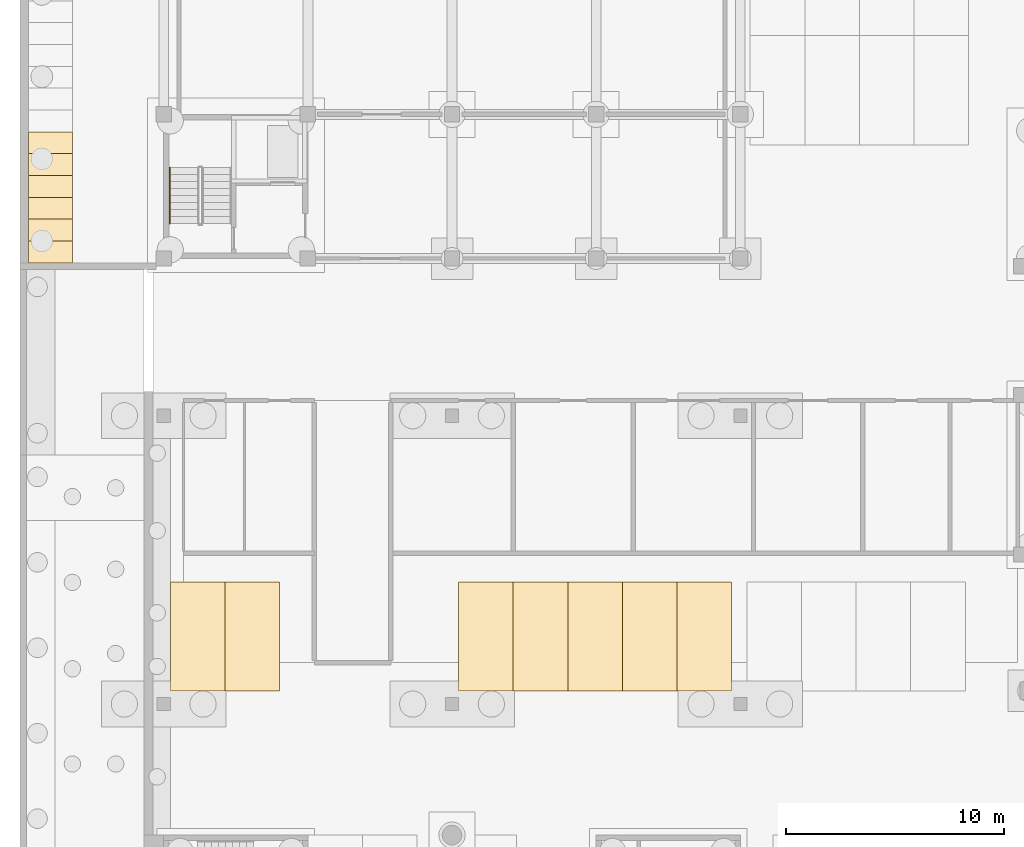
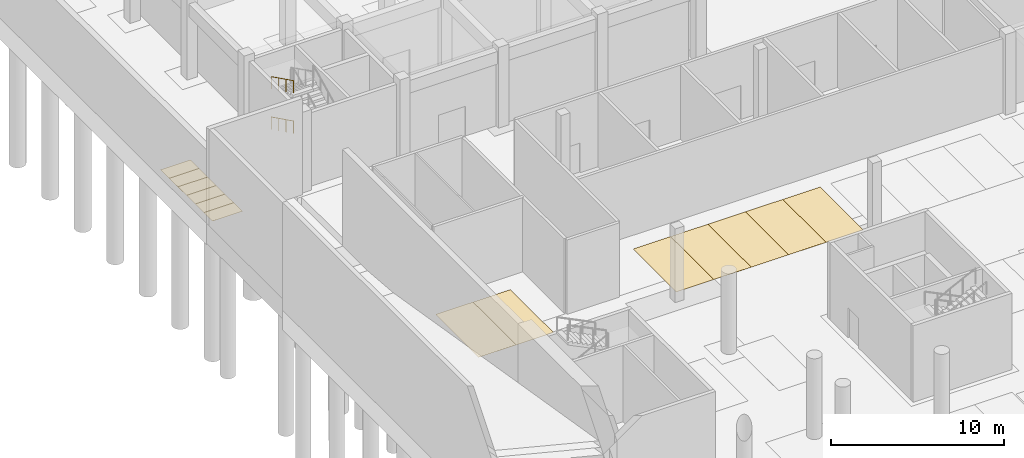
# One storey, part 26 of 38: 13 coverings, 2 railings.
"""IFC4 building model written with IfcOpenShell, lengths in metres."""

from ifc_helpers import new_model, si_unit, direction, frame, origin, origin_2d, place, context, subcontext, project, spatial, polyline, circle, outline, extrude, material, layer, layer_set, type_object, element, save


model = new_model("IFC4")

# Units and contexts
model_context = context("Model", 3, precision=1e-05, world=origin(), true_north=direction((0.0, 1.0)))
body_context = subcontext(model_context, "Body", "Model", "MODEL_VIEW")
ifc_project = project(units=[si_unit("LENGTHUNIT", "METRE"), si_unit("AREAUNIT", "SQUARE_METRE"), si_unit("VOLUMEUNIT", "CUBIC_METRE"), si_unit("PLANEANGLEUNIT", "RADIAN"), si_unit("MASSUNIT", "GRAM", prefix="KILO")], contexts=[model_context])

# Site, building, storey
site_placement = place(None, origin())
site = spatial("IfcSite", under=ifc_project, at=site_placement, CompositionType="ELEMENT")
building_placement = place(site_placement, origin())
building = spatial("IfcBuilding", under=site, at=building_placement, Name="Lantern Court Research Institute", CompositionType="ELEMENT")
storey_placement = place(building_placement, frame((0.0, 0.0, -5.699951171875)))
storey = spatial("IfcBuildingStorey", under=building, at=storey_placement, Name="B1", CompositionType="ELEMENT", Elevation=-5.699951171875)

# Coverings
ifc_material_1 = material(Name="Thermoplastic road marking paint")
ifc_layer_1 = layer(ifc_material_1, 0.0029296875)
ifc_layer_set_1 = layer_set([ifc_layer_1], Name="Thermoplastic road marking paint")
covering_type_1 = type_object("IfcCoveringType", Name="Motorcycle slot marking", PredefinedType="FLOORING", material=ifc_layer_set_1)
covering_1_placement = place(storey_placement, origin())
element("IfcCovering", 1, at=covering_1_placement, inside=storey, type_object=covering_type_1, Name="Motorcycle slot marking 01", PredefinedType="FLOORING", context=body_context, shape_type="SweptSolid", body=[
    extrude(outline(polyline([(-6.179931640625, 49.300048828125), (-4.179931640625, 49.300048828125), (-4.179931640625, 50.300048828125), (-6.179931640625, 50.300048828125), (-6.179931640625, 49.300048828125)])), origin(), (0.0, 0.0, 1.0), 0.0029296875),
])
covering_2_placement = place(storey_placement, origin())
element("IfcCovering", 2, at=covering_2_placement, inside=storey, type_object=covering_type_1, Name="Motorcycle slot marking 02", PredefinedType="FLOORING", context=body_context, shape_type="SweptSolid", body=[
    extrude(outline(polyline([(-6.179931640625, 50.300048828125), (-4.179931640625, 50.300048828125), (-4.179931640625, 51.300048828125), (-6.179931640625, 51.300048828125), (-6.179931640625, 50.300048828125)])), origin(), (0.0, 0.0, 1.0), 0.0029296875),
])
covering_3_placement = place(storey_placement, origin())
element("IfcCovering", 3, at=covering_3_placement, inside=storey, type_object=covering_type_1, Name="Motorcycle slot marking 03", PredefinedType="FLOORING", context=body_context, shape_type="SweptSolid", body=[
    extrude(outline(polyline([(-6.179931640625, 51.300048828125), (-4.179931640625, 51.300048828125), (-4.179931640625, 52.300048828125), (-6.179931640625, 52.300048828125), (-6.179931640625, 51.300048828125)])), origin(), (0.0, 0.0, 1.0), 0.0029296875),
])
covering_4_placement = place(storey_placement, origin())
element("IfcCovering", 4, at=covering_4_placement, inside=storey, type_object=covering_type_1, Name="Motorcycle slot marking 04", PredefinedType="FLOORING", context=body_context, shape_type="SweptSolid", body=[
    extrude(outline(polyline([(-6.179931640625, 52.300048828125), (-4.179931640625, 52.300048828125), (-4.179931640625, 53.300048828125), (-6.179931640625, 53.300048828125), (-6.179931640625, 52.300048828125)])), origin(), (0.0, 0.0, 1.0), 0.0029296875),
])
covering_5_placement = place(storey_placement, origin())
element("IfcCovering", 5, at=covering_5_placement, inside=storey, type_object=covering_type_1, Name="Motorcycle slot marking 05", PredefinedType="FLOORING", context=body_context, shape_type="SweptSolid", body=[
    extrude(outline(polyline([(-6.179931640625, 53.300048828125), (-4.179931640625, 53.300048828125), (-4.179931640625, 54.300048828125), (-6.179931640625, 54.300048828125), (-6.179931640625, 53.300048828125)])), origin(), (0.0, 0.0, 1.0), 0.0029296875),
])
covering_6_placement = place(storey_placement, origin())
element("IfcCovering", 6, at=covering_6_placement, inside=storey, type_object=covering_type_1, Name="Motorcycle slot marking 06", PredefinedType="FLOORING", context=body_context, shape_type="SweptSolid", body=[
    extrude(outline(polyline([(-6.179931640625, 54.300048828125), (-4.179931640625, 54.300048828125), (-4.179931640625, 55.300048828125), (-6.179931640625, 55.300048828125), (-6.179931640625, 54.300048828125)])), origin(), (0.0, 0.0, 1.0), 0.0029296875),
])
ifc_material_2 = material(Name="Thermoplastic road marking paint")
ifc_layer_2 = layer(ifc_material_2, 0.0029296875)
ifc_layer_set_2 = layer_set([ifc_layer_2], Name="Thermoplastic road marking paint")
covering_type_2 = type_object("IfcCoveringType", Name="Parking bay marking", PredefinedType="FLOORING", material=ifc_layer_set_2)
covering_7_placement = place(storey_placement, origin())
element("IfcCovering", 7, at=covering_7_placement, inside=storey, type_object=covering_type_2, Name="Parking bay marking 053", PredefinedType="FLOORING", context=body_context, shape_type="SweptSolid", body=[
    extrude(outline(polyline([(0.300048828125, 29.699951171875), (2.800048828125, 29.699951171875), (2.800048828125, 34.699951171875), (0.300048828125, 34.699951171875), (0.300048828125, 29.699951171875)])), origin(), (0.0, 0.0, 1.0), 0.0029296875),
])
covering_8_placement = place(storey_placement, origin())
element("IfcCovering", 8, at=covering_8_placement, inside=storey, type_object=covering_type_2, Name="Parking bay marking 054", PredefinedType="FLOORING", context=body_context, shape_type="SweptSolid", body=[
    extrude(outline(polyline([(2.800048828125, 29.699951171875), (5.300048828125, 29.699951171875), (5.300048828125, 34.699951171875), (2.800048828125, 34.699951171875), (2.800048828125, 29.699951171875)])), origin(), (0.0, 0.0, 1.0), 0.0029296875),
])
covering_9_placement = place(storey_placement, origin())
element("IfcCovering", 9, at=covering_9_placement, inside=storey, type_object=covering_type_2, Name="Parking bay marking 055", PredefinedType="FLOORING", context=body_context, shape_type="SweptSolid", body=[
    extrude(outline(polyline([(13.5, 29.699951171875), (16.0, 29.699951171875), (16.0, 34.699951171875), (13.5, 34.699951171875), (13.5, 29.699951171875)])), origin(), (0.0, 0.0, 1.0), 0.0029296875),
])
covering_10_placement = place(storey_placement, origin())
element("IfcCovering", 10, at=covering_10_placement, inside=storey, type_object=covering_type_2, Name="Parking bay marking 056", PredefinedType="FLOORING", context=body_context, shape_type="SweptSolid", body=[
    extrude(outline(polyline([(16.0, 29.699951171875), (18.5, 29.699951171875), (18.5, 34.699951171875), (16.0, 34.699951171875), (16.0, 29.699951171875)])), origin(), (0.0, 0.0, 1.0), 0.0029296875),
])
covering_11_placement = place(storey_placement, origin())
element("IfcCovering", 11, at=covering_11_placement, inside=storey, type_object=covering_type_2, Name="Parking bay marking 057", PredefinedType="FLOORING", context=body_context, shape_type="SweptSolid", body=[
    extrude(outline(polyline([(18.5, 29.699951171875), (21.0, 29.699951171875), (21.0, 34.699951171875), (18.5, 34.699951171875), (18.5, 29.699951171875)])), origin(), (0.0, 0.0, 1.0), 0.0029296875),
])
covering_12_placement = place(storey_placement, origin())
element("IfcCovering", 12, at=covering_12_placement, inside=storey, type_object=covering_type_2, Name="Parking bay marking 058", PredefinedType="FLOORING", context=body_context, shape_type="SweptSolid", body=[
    extrude(outline(polyline([(21.0, 29.699951171875), (23.5, 29.699951171875), (23.5, 34.699951171875), (21.0, 34.699951171875), (21.0, 29.699951171875)])), origin(), (0.0, 0.0, 1.0), 0.0029296875),
])
covering_13_placement = place(storey_placement, origin())
element("IfcCovering", 13, at=covering_13_placement, inside=storey, type_object=covering_type_2, Name="Parking bay marking 059", PredefinedType="FLOORING", context=body_context, shape_type="SweptSolid", body=[
    extrude(outline(polyline([(23.5, 29.699951171875), (26.0, 29.699951171875), (26.0, 34.699951171875), (23.5, 34.699951171875), (23.5, 29.699951171875)])), origin(), (0.0, 0.0, 1.0), 0.0029296875),
])

# Railings
ifc_material_3 = material(Name="Stainless steel 316", Category="steel")
railing_type = type_object("IfcRailingType", Name="Stair handrail 900 steel", PredefinedType="HANDRAIL", material=ifc_material_3)
for number, where, name in (
    (14, (0.27490234375, 53.659912109375, 1.583251953125), "B1 ST-C1 stair handrail 2"),
    (15, (0.27490234375, 53.659912109375, 4.433349609375), "B1 ST-C1 stair handrail 4"),
):
    element("IfcRailing", number, at=place(storey_placement, frame(where)), inside=storey, type_object=railing_type, Name=name, PredefinedType="HANDRAIL", context=body_context, shape_type="SweptSolid", body=[
        extrude(circle(Radius=0.02392578125, at=origin_2d()), frame((0.0, 0.0, 0.8759765625), z_axis=(0.0, -0.896282942063, 0.443482680346), x_axis=(1.0, 0.0, 0.0)), (0.0, 0.0, 1.0), 2.85595703125),
        extrude(circle(Radius=0.02099609375, at=origin_2d()), origin(), (0.0, 0.0, 1.0), 0.851806640625),
        extrude(circle(Radius=0.02099609375, at=origin_2d()), frame((0.0, -0.853271484375, 0.422119140625)), (0.0, 0.0, 1.0), 0.851806640625),
        extrude(circle(Radius=0.02099609375, at=origin_2d()), frame((0.0, -1.70654296875, 0.844482421875)), (0.0, 0.0, 1.0), 0.851806640625),
        extrude(circle(Radius=0.02099609375, at=origin_2d()), frame((0.0, -2.559814453125, 1.2666015625)), (0.0, 0.0, 1.0), 0.851806640625),
    ])

save(model, "model.ifc")
